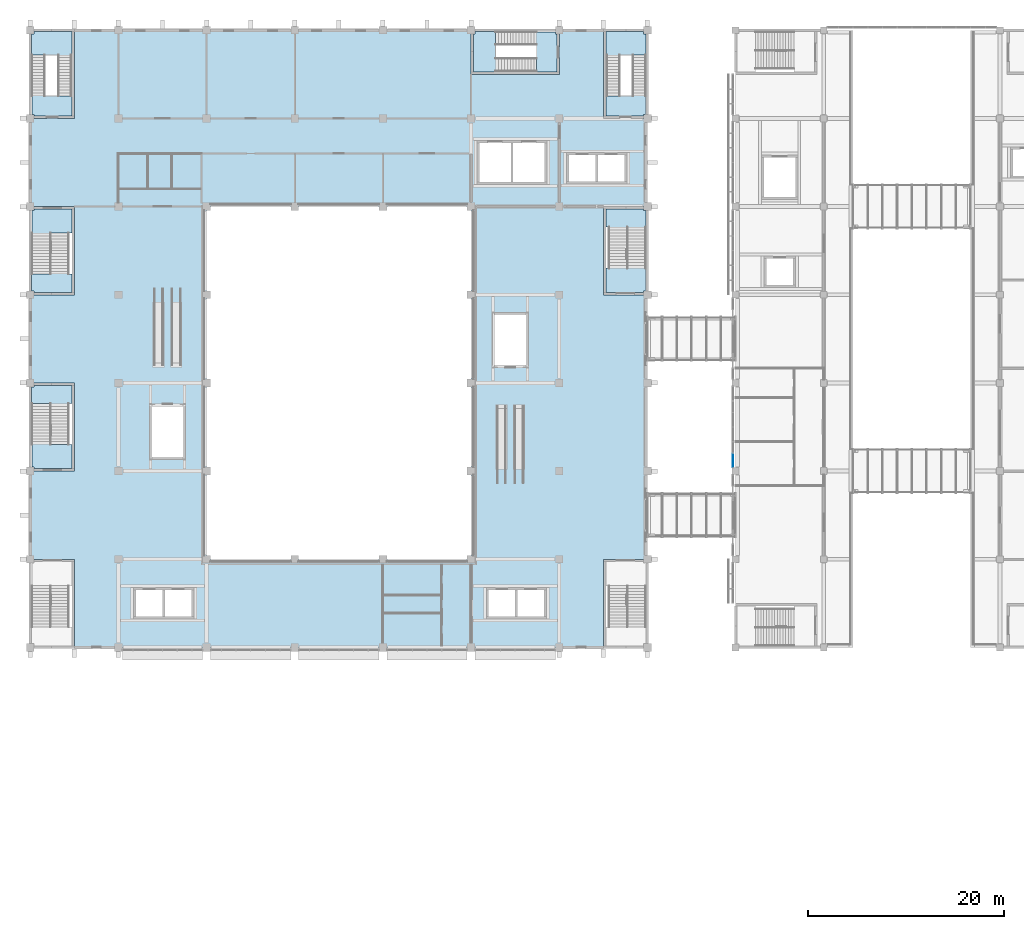
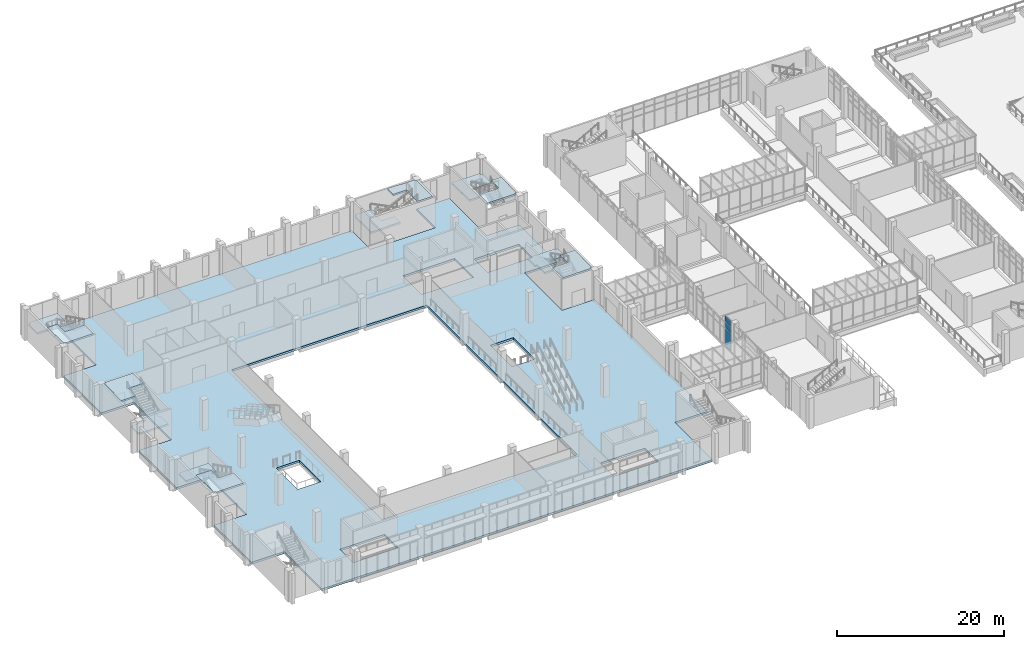
# One storey, part 55 of 106: 13 slabs, 3 plates, 7 elements without a shape of their own.
"""IFC4 building model written with IfcOpenShell, lengths in metres."""

from ifc_helpers import new_model, si_unit, direction, frame, origin, origin_2d, place, context, subcontext, project, spatial, polyline, rectangle, outline, extrude, material, layer, layer_set, type_object, element, aggregate, save


model = new_model("IFC4")

# Units and contexts
model_context = context("Model", 3, precision=1e-05, world=origin(), true_north=direction((0.0, 1.0)))
body_context = subcontext(model_context, "Body", "Model", "MODEL_VIEW")
ifc_project = project(units=[si_unit("LENGTHUNIT", "METRE"), si_unit("AREAUNIT", "SQUARE_METRE"), si_unit("VOLUMEUNIT", "CUBIC_METRE"), si_unit("PLANEANGLEUNIT", "RADIAN"), si_unit("MASSUNIT", "GRAM", prefix="KILO")], contexts=[model_context])

# Site, building, storey
site_placement = place(None, origin())
site = spatial("IfcSite", under=ifc_project, at=site_placement, CompositionType="ELEMENT")
building_placement = place(site_placement, origin())
building = spatial("IfcBuilding", under=site, at=building_placement, Name="Guidao Yard Department Store", CompositionType="ELEMENT")
storey_placement = place(building_placement, frame((0.0, 0.0, 10.5)))
storey = spatial("IfcBuildingStorey", under=building, at=storey_placement, Name="L02", CompositionType="ELEMENT", Elevation=10.5)

# Slab
ifc_material_1 = material(Name="Concrete C35", Category="concrete")
ifc_layer_1 = layer(ifc_material_1, 0.300048828125)
ifc_layer_set_1 = layer_set([ifc_layer_1], Name="Flat slab 300 C35")
slab_type_1 = type_object("IfcSlabType", Name="Flat slab 300 C35", PredefinedType="FLOOR", material=ifc_layer_set_1)
slab_1_placement = place(storey_placement, frame((0.0, 0.0, -0.300048828125)))
element("IfcSlab", 1, at=slab_1_placement, inside=storey, type_object=slab_type_1, Name="Slab L02-H", PredefinedType="FLOOR", context=body_context, shape_type="SweptSolid", body=[
    extrude(outline(polyline([(58.5, 54.0), (58.5, 45.0), (4.5, 45.0), (4.5, 54.0), (0.0, 54.0), (0.0, 63.0), (4.5, 63.0), (4.5, 72.0), (0.0, 72.0), (0.0, 81.0), (4.5, 81.0), (4.5, 90.0), (0.0, 90.0), (0.0, 99.0), (4.5, 99.0), (4.5, 108.0), (45.0, 108.0), (45.0, 103.5), (54.0, 103.5), (54.0, 108.0), (58.5, 108.0), (58.5, 99.0), (63.0, 99.0), (63.0, 90.0), (58.5, 90.0), (58.5, 81.0), (63.0, 81.0), (63.0, 54.0), (58.5, 54.0)]), holes=[polyline([(16.699951171875, 51.10009765625), (13.75, 51.10009765625), (13.5, 51.10009765625), (10.550048828125, 51.10009765625), (10.550048828125, 47.89990234375), (13.5, 47.89990234375), (13.75, 47.89990234375), (16.699951171875, 47.89990234375), (16.699951171875, 51.10009765625)]), polyline([(46.550048828125, 51.10009765625), (46.550048828125, 47.89990234375), (49.5, 47.89990234375), (49.75, 47.89990234375), (52.699951171875, 47.89990234375), (52.699951171875, 51.10009765625), (49.75, 51.10009765625), (49.5, 51.10009765625), (46.550048828125, 51.10009765625)]), polyline([(12.39990234375, 69.593994140625), (12.39990234375, 64.4560546875), (15.60009765625, 64.4560546875), (15.60009765625, 69.593994140625), (12.39990234375, 69.593994140625)]), polyline([(18.0, 90.0), (18.0, 54.0), (45.0, 54.0), (45.0, 90.0), (18.0, 90.0)]), polyline([(50.60009765625, 78.944091796875), (47.39990234375, 78.944091796875), (47.39990234375, 73.805908203125), (50.60009765625, 73.805908203125), (50.60009765625, 78.944091796875)]), polyline([(54.75, 92.300048828125), (57.699951171875, 92.300048828125), (57.949951171875, 92.300048828125), (60.89990234375, 92.300048828125), (60.89990234375, 95.5), (57.949951171875, 95.5), (57.699951171875, 95.5), (54.75, 95.5), (54.75, 92.300048828125)]), polyline([(45.60009765625, 92.25), (49.050048828125, 92.25), (49.300048828125, 92.25), (52.75, 92.25), (52.75, 96.75), (49.300048828125, 96.75), (49.050048828125, 96.75), (45.60009765625, 96.75), (45.60009765625, 92.25)])]), origin(), (0.0, 0.0, 1.0), 0.300048828125),
])

# Curtain wall, plate
ifc_material_2 = material(Name="Aluminium and glass", Category="aluminium")
ifc_layer_2 = layer(ifc_material_2, 0.159912109375)
ifc_layer_set_2 = layer_set([ifc_layer_2], Name="Shopfront curtain wall CW1 1500 module")
curtain_wall_type = type_object("IfcCurtainWallType", Name="Shopfront curtain wall CW1 1500 module", PredefinedType="NOTDEFINED", material=ifc_layer_set_2)
curtain_wall_placement = place(storey_placement, origin())
curtain_wall = element("IfcCurtainWall", 2, at=curtain_wall_placement, inside=storey, type_object=curtain_wall_type, Name="Arcade shop front", PredefinedType="NOTDEFINED")
ifc_material_3 = material(Name="Aluminium 6063-T5 faced insulated spandrel", Category="aluminium")
ifc_layer_3 = layer(ifc_material_3, 0.06005859375)
ifc_layer_set_3 = layer_set([ifc_layer_3], Name="Spandrel panel SP1 insulated opaque")
plate_type_1 = type_object("IfcPlateType", Name="Spandrel panel SP1 insulated opaque", PredefinedType="CURTAIN_PANEL", material=ifc_layer_set_3)
plate_1_placement = place(storey_placement, frame((71.719970703125, 64.10009765625, 3.6298828125), z_axis=(0.0, 0.0, 1.0), x_axis=(0.0, 1.0, 0.0)))
plate_1 = element("IfcPlate", 3, at=plate_1_placement, type_object=plate_type_1, Name="CW-AS-L02-05 panel 1.3", PredefinedType="CURTAIN_PANEL", context=body_context, shape_type="SweptSolid", body=[
    extrude(rectangle(XDim=1.3798828125, YDim=0.06005859375, at=origin_2d()), origin(), (0.0, 0.0, 1.0), 0.81005859375),
])

# Stair, slabs
ifc_material_4 = material(Name="Concrete C35", Category="concrete")
stair_type_1 = type_object("IfcStairType", Name="Stair half-turn two-flight 1800 wide 4.5 m rise", PredefinedType="HALF_TURN_STAIR", material=ifc_material_4)
stair_1_placement = place(storey_placement, origin())
stair_1 = element("IfcStair", 4, at=stair_1_placement, inside=storey, type_object=stair_type_1, Name="Stair A1 L02 to L03", PredefinedType="HALF_TURN_STAIR")
ifc_material_5 = material(Name="Concrete C35", Category="concrete")
ifc_layer_4 = layer(ifc_material_5, 0.25)
ifc_layer_set_4 = layer_set([ifc_layer_4], Name="Stair landing RC 250 C35")
slab_type_2 = type_object("IfcSlabType", Name="Stair landing RC 250 C35", PredefinedType="LANDING", material=ifc_layer_set_4)
slab_2_placement = place(storey_placement, frame((0.0, 0.0, 2.0)))
slab_2 = element("IfcSlab", 5, at=slab_2_placement, type_object=slab_type_2, Name="SA1-L02 landing 1", PredefinedType="LANDING", context=body_context, shape_type="SweptSolid", body=[
    extrude(outline(polyline([(2.175048828125, 69.889892578125), (0.125, 69.889892578125), (0.125, 69.89990234375), (0.125, 71.60009765625), (0.39990234375, 71.60009765625), (0.39990234375, 71.75), (4.25, 71.75), (4.25, 69.89990234375), (3.97509765625, 69.89990234375), (3.97509765625, 68.070068359375), (2.175048828125, 68.070068359375), (2.175048828125, 69.889892578125)])), origin(), (0.0, 0.0, 1.0), 0.25),
])
slab_3_placement = place(storey_placement, frame((0.0, 0.0, 4.25)))
slab_3 = element("IfcSlab", 6, at=slab_3_placement, type_object=slab_type_2, Name="SA1-L02 landing 2", PredefinedType="LANDING", context=body_context, shape_type="SweptSolid", body=[
    extrude(outline(polyline([(0.125, 65.699951171875), (0.125, 67.530029296875), (2.175048828125, 67.530029296875), (2.175048828125, 65.7099609375), (4.25, 65.7099609375), (4.25, 63.25), (2.175048828125, 63.25), (0.39990234375, 63.25), (0.39990234375, 63.39990234375), (0.199951171875, 63.39990234375), (0.199951171875, 65.699951171875), (0.125, 65.699951171875)])), origin(), (0.0, 0.0, 1.0), 0.25),
])
aggregate(stair_1, [slab_2, slab_3])

stair_2_placement = place(storey_placement, origin())
stair_2 = element("IfcStair", 7, at=stair_2_placement, inside=storey, type_object=stair_type_1, Name="Stair A3 L02 to L03", PredefinedType="HALF_TURN_STAIR")
slab_4_placement = place(storey_placement, frame((0.0, 0.0, 2.0)))
slab_4 = element("IfcSlab", 8, at=slab_4_placement, type_object=slab_type_2, Name="SA3-L02 landing 1", PredefinedType="LANDING", context=body_context, shape_type="SweptSolid", body=[
    extrude(outline(polyline([(0.39990234375, 81.25), (0.39990234375, 81.39990234375), (0.125, 81.39990234375), (0.125, 83.10009765625), (0.125, 83.110107421875), (2.175048828125, 83.110107421875), (2.175048828125, 84.929931640625), (3.97509765625, 84.929931640625), (3.97509765625, 83.10009765625), (4.25, 83.10009765625), (4.25, 81.25), (0.39990234375, 81.25)])), origin(), (0.0, 0.0, 1.0), 0.25),
])
slab_5_placement = place(storey_placement, frame((0.0, 0.0, 4.25)))
slab_5 = element("IfcSlab", 9, at=slab_5_placement, type_object=slab_type_2, Name="SA3-L02 landing 2", PredefinedType="LANDING", context=body_context, shape_type="SweptSolid", body=[
    extrude(outline(polyline([(0.125, 87.300048828125), (0.199951171875, 87.300048828125), (0.199951171875, 89.60009765625), (0.39990234375, 89.60009765625), (0.39990234375, 89.75), (2.175048828125, 89.75), (4.25, 89.75), (4.25, 87.2900390625), (2.175048828125, 87.2900390625), (2.175048828125, 85.469970703125), (0.125, 85.469970703125), (0.125, 87.300048828125)])), origin(), (0.0, 0.0, 1.0), 0.25),
])
aggregate(stair_2, [slab_4, slab_5])

stair_3_placement = place(storey_placement, origin())
stair_3 = element("IfcStair", 10, at=stair_3_placement, inside=storey, type_object=stair_type_1, Name="Stair A4 L02 to L03", PredefinedType="HALF_TURN_STAIR")
slab_6_placement = place(storey_placement, frame((0.0, 0.0, 2.0)))
slab_6 = element("IfcSlab", 11, at=slab_6_placement, type_object=slab_type_2, Name="SA4-L02 landing 1", PredefinedType="LANDING", context=body_context, shape_type="SweptSolid", body=[
    extrude(outline(polyline([(59.02490234375, 87.89990234375), (58.75, 87.89990234375), (58.75, 89.75), (62.60009765625, 89.75), (62.60009765625, 89.60009765625), (62.875, 89.60009765625), (62.875, 87.89990234375), (62.875, 87.889892578125), (60.824951171875, 87.889892578125), (60.824951171875, 86.070068359375), (59.02490234375, 86.070068359375), (59.02490234375, 87.89990234375)])), origin(), (0.0, 0.0, 1.0), 0.25),
])
slab_7_placement = place(storey_placement, frame((0.0, 0.0, 4.25)))
slab_7 = element("IfcSlab", 12, at=slab_7_placement, type_object=slab_type_2, Name="SA4-L02 landing 2", PredefinedType="LANDING", context=body_context, shape_type="SweptSolid", body=[
    extrude(outline(polyline([(58.75, 81.25), (58.75, 83.7099609375), (60.824951171875, 83.7099609375), (60.824951171875, 85.530029296875), (62.875, 85.530029296875), (62.875, 83.699951171875), (62.800048828125, 83.699951171875), (62.800048828125, 81.39990234375), (62.60009765625, 81.39990234375), (62.60009765625, 81.25), (60.824951171875, 81.25), (58.75, 81.25)])), origin(), (0.0, 0.0, 1.0), 0.25),
])
aggregate(stair_3, [slab_6, slab_7])

ifc_material_6 = material(Name="Concrete C35", Category="concrete")
stair_type_2 = type_object("IfcStairType", Name="Stair half-turn two-flight 1400 wide 4.5 m rise", PredefinedType="HALF_TURN_STAIR", material=ifc_material_6)
stair_4_placement = place(storey_placement, origin())
stair_4 = element("IfcStair", 13, at=stair_4_placement, inside=storey, type_object=stair_type_2, Name="Stair A5 L02 to L03", PredefinedType="HALF_TURN_STAIR")
slab_8_placement = place(storey_placement, frame((0.0, 0.0, 2.0)))
slab_8 = element("IfcSlab", 14, at=slab_8_placement, type_object=slab_type_2, Name="SA5-L02 landing 1", PredefinedType="LANDING", context=body_context, shape_type="SweptSolid", body=[
    extrude(outline(polyline([(2.800048828125, 105.5), (1.52490234375, 105.5), (1.52490234375, 105.489990234375), (0.125, 105.489990234375), (0.125, 105.5), (0.125, 107.60009765625), (0.39990234375, 107.60009765625), (0.39990234375, 107.875), (4.25, 107.875), (4.25, 105.5), (4.199951171875, 105.5), (4.199951171875, 103.669921875), (2.800048828125, 103.669921875), (2.800048828125, 105.5)])), origin(), (0.0, 0.0, 1.0), 0.25),
])
slab_9_placement = place(storey_placement, frame((0.0, 0.0, 4.25)))
slab_9 = element("IfcSlab", 15, at=slab_9_placement, type_object=slab_type_2, Name="SA5-L02 landing 2", PredefinedType="LANDING", context=body_context, shape_type="SweptSolid", body=[
    extrude(outline(polyline([(4.25, 101.31005859375), (4.25, 99.25), (2.800048828125, 99.25), (0.39990234375, 99.25), (0.39990234375, 99.39990234375), (0.199951171875, 99.39990234375), (0.199951171875, 101.300048828125), (0.125, 101.300048828125), (0.125, 103.1298828125), (1.52490234375, 103.1298828125), (1.52490234375, 101.300048828125), (2.800048828125, 101.300048828125), (2.800048828125, 101.31005859375), (4.25, 101.31005859375)])), origin(), (0.0, 0.0, 1.0), 0.25),
])
aggregate(stair_4, [slab_8, slab_9])

stair_5_placement = place(storey_placement, origin())
stair_5 = element("IfcStair", 16, at=stair_5_placement, inside=storey, type_object=stair_type_2, Name="Stair A6 L02 to L03", PredefinedType="HALF_TURN_STAIR")
slab_10_placement = place(storey_placement, frame((0.0, 0.0, 2.0)))
slab_10 = element("IfcSlab", 17, at=slab_10_placement, type_object=slab_type_2, Name="SA6-L02 landing 1", PredefinedType="LANDING", context=body_context, shape_type="SweptSolid", body=[
    extrude(outline(polyline([(58.800048828125, 105.5), (58.75, 105.5), (58.75, 107.875), (62.60009765625, 107.875), (62.60009765625, 107.60009765625), (62.875, 107.60009765625), (62.875, 105.5), (62.875, 105.489990234375), (61.47509765625, 105.489990234375), (61.47509765625, 105.5), (60.199951171875, 105.5), (60.199951171875, 103.669921875), (58.800048828125, 103.669921875), (58.800048828125, 105.5)])), origin(), (0.0, 0.0, 1.0), 0.25),
])
slab_11_placement = place(storey_placement, frame((0.0, 0.0, 4.25)))
slab_11 = element("IfcSlab", 18, at=slab_11_placement, type_object=slab_type_2, Name="SA6-L02 landing 2", PredefinedType="LANDING", context=body_context, shape_type="SweptSolid", body=[
    extrude(outline(polyline([(58.75, 99.25), (58.75, 101.31005859375), (60.199951171875, 101.31005859375), (60.199951171875, 101.300048828125), (61.47509765625, 101.300048828125), (61.47509765625, 103.1298828125), (62.875, 103.1298828125), (62.875, 101.300048828125), (62.800048828125, 101.300048828125), (62.800048828125, 99.39990234375), (62.60009765625, 99.39990234375), (62.60009765625, 99.25), (60.199951171875, 99.25), (58.75, 99.25)])), origin(), (0.0, 0.0, 1.0), 0.25),
])
aggregate(stair_5, [slab_10, slab_11])

stair_6_placement = place(storey_placement, origin())
stair_6 = element("IfcStair", 19, at=stair_6_placement, inside=storey, type_object=stair_type_2, Name="Stair A7 L02 to L03", PredefinedType="HALF_TURN_STAIR")
slab_12_placement = place(storey_placement, frame((0.0, 0.0, 2.0)))
slab_12 = element("IfcSlab", 20, at=slab_12_placement, type_object=slab_type_2, Name="SA7-L02 landing 1", PredefinedType="LANDING", context=body_context, shape_type="SweptSolid", body=[
    extrude(outline(polyline([(47.5, 103.800048828125), (47.5, 103.75), (45.25, 103.75), (45.25, 107.60009765625), (45.39990234375, 107.60009765625), (45.39990234375, 107.875), (47.5, 107.875), (47.510009765625, 107.875), (47.510009765625, 106.47509765625), (47.5, 106.47509765625), (47.5, 105.199951171875), (49.330078125, 105.199951171875), (49.330078125, 103.800048828125), (47.5, 103.800048828125)])), origin(), (0.0, 0.0, 1.0), 0.25),
])
slab_13_placement = place(storey_placement, frame((0.0, 0.0, 4.25)))
slab_13 = element("IfcSlab", 21, at=slab_13_placement, type_object=slab_type_2, Name="SA7-L02 landing 2", PredefinedType="LANDING", context=body_context, shape_type="SweptSolid", body=[
    extrude(outline(polyline([(51.68994140625, 105.199951171875), (51.699951171875, 105.199951171875), (51.699951171875, 106.47509765625), (49.8701171875, 106.47509765625), (49.8701171875, 107.875), (51.699951171875, 107.875), (51.699951171875, 107.800048828125), (53.60009765625, 107.800048828125), (53.60009765625, 107.60009765625), (53.75, 107.60009765625), (53.75, 105.199951171875), (53.75, 103.75), (51.68994140625, 103.75), (51.68994140625, 105.199951171875)])), origin(), (0.0, 0.0, 1.0), 0.25),
])
aggregate(stair_6, [slab_12, slab_13])

# Plate
ifc_material_7 = material(Name="Laminated heat-soaked tempered glass", Category="glass")
ifc_layer_5 = layer(ifc_material_7, 0.017578125)
ifc_layer_set_5 = layer_set([ifc_layer_5], Name="Vision glass VG1 laminated heat-soaked tempered 8+8")
plate_type_2 = type_object("IfcPlateType", Name="Vision glass VG1 laminated heat-soaked tempered 8+8", PredefinedType="CURTAIN_PANEL", material=ifc_layer_set_5)
plate_2_placement = place(storey_placement, frame((71.719970703125, 64.10009765625, 0.06005859375), z_axis=(0.0, 0.0, 1.0), x_axis=(0.0, 1.0, 0.0)))
plate_2 = element("IfcPlate", 22, at=plate_2_placement, type_object=plate_type_2, Name="CW-AS-L02-05 panel 1.1", PredefinedType="CURTAIN_PANEL", context=body_context, shape_type="SweptSolid", body=[
    extrude(rectangle(XDim=1.3798828125, YDim=0.017578125, at=origin_2d()), origin(), (0.0, 0.0, 1.0), 2.610107421875),
])

plate_3_placement = place(storey_placement, frame((71.719970703125, 64.10009765625, 2.72998046875), z_axis=(0.0, 0.0, 1.0), x_axis=(0.0, 1.0, 0.0)))
plate_3 = element("IfcPlate", 23, at=plate_3_placement, type_object=plate_type_2, Name="CW-AS-L02-05 panel 1.2", PredefinedType="CURTAIN_PANEL", context=body_context, shape_type="SweptSolid", body=[
    extrude(rectangle(XDim=1.3798828125, YDim=0.017578125, at=origin_2d()), origin(), (0.0, 0.0, 1.0), 0.840087890625),
])

aggregate(curtain_wall, [plate_2, plate_3, plate_1])

save(model, "model.ifc")
